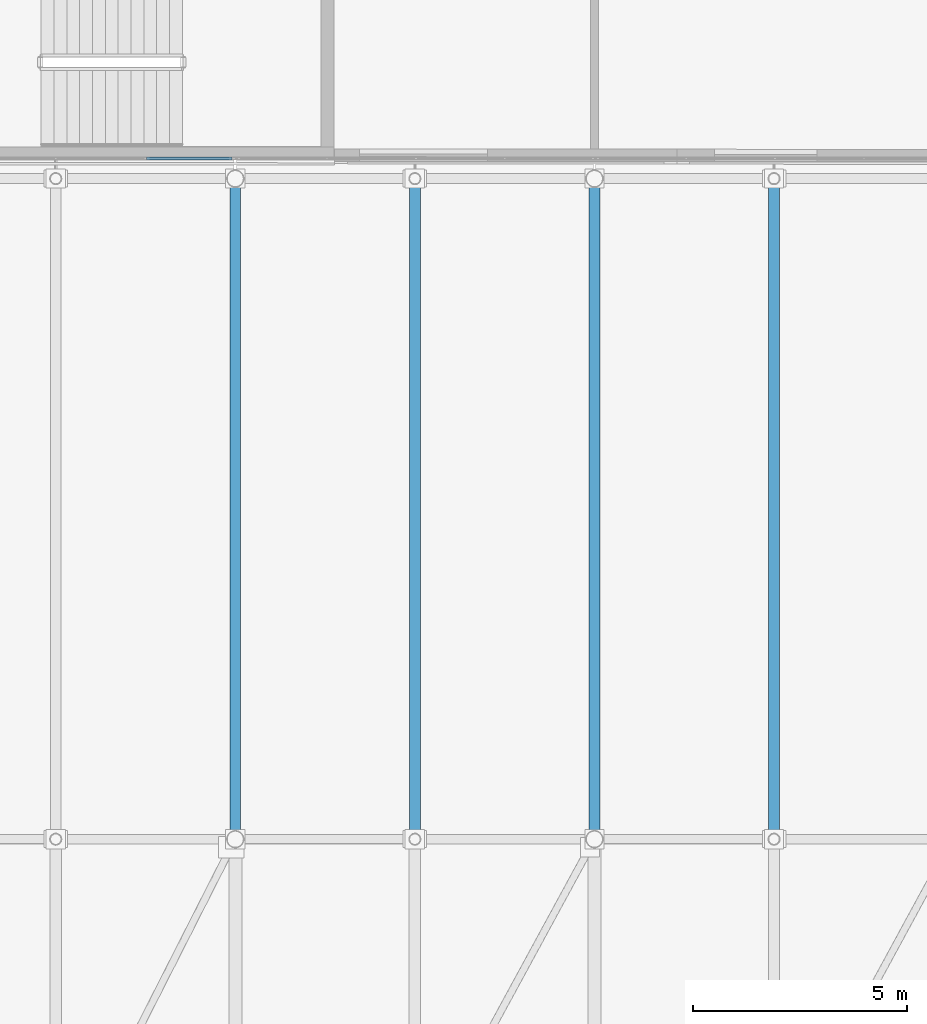
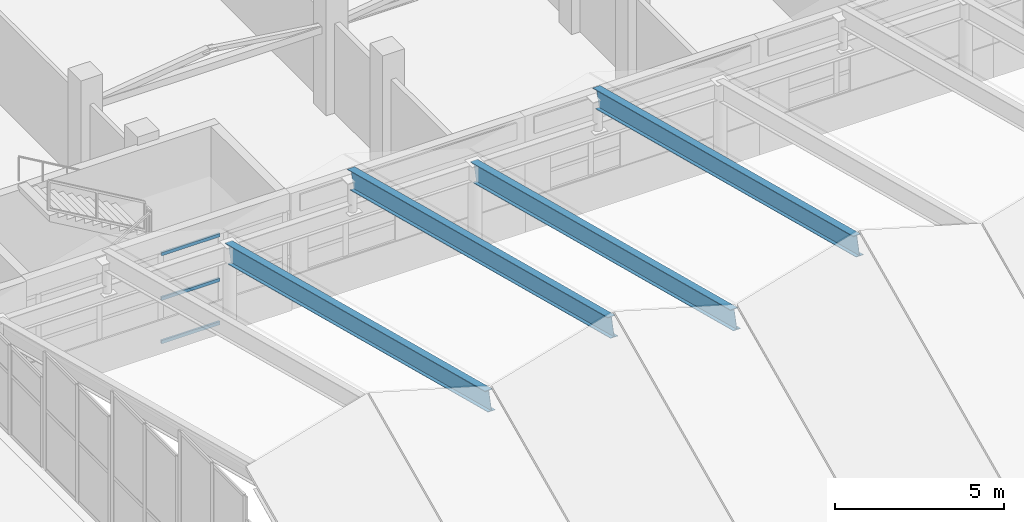
# One storey, part 77 of 184: 4 beams, 3 members, 1 element without a shape of its own.
"""IFC4 building model written with IfcOpenShell, lengths in metres."""

from ifc_helpers import new_model, si_unit, direction, frame, origin, origin_2d, place, context, subcontext, project, spatial, hollow_rectangle, i_section, extrude, material, material_profile, profile_set, type_object, element, aggregate, save


model = new_model("IFC4")

# Units and contexts
model_context = context("Model", 3, precision=1e-05, world=origin(), true_north=direction((0.0, 1.0)))
body_context = subcontext(model_context, "Body", "Model", "MODEL_VIEW")
ifc_project = project(units=[si_unit("LENGTHUNIT", "METRE"), si_unit("AREAUNIT", "SQUARE_METRE"), si_unit("VOLUMEUNIT", "CUBIC_METRE"), si_unit("PLANEANGLEUNIT", "RADIAN"), si_unit("MASSUNIT", "GRAM", prefix="KILO")], contexts=[model_context])

# Site, building, storey
site_placement = place(None, origin())
site = spatial("IfcSite", under=ifc_project, at=site_placement, CompositionType="ELEMENT")
building_placement = place(site_placement, origin())
building = spatial("IfcBuilding", under=site, at=building_placement, Name="Selatvlak General Hospital", CompositionType="ELEMENT")
storey_placement = place(building_placement, frame((0.0, 0.0, 15.0)))
storey = spatial("IfcBuildingStorey", under=building, at=storey_placement, Name="L03", CompositionType="ELEMENT", Elevation=15.0)

# Beams
ifc_material_1 = material(Name="Steel S355", Category="steel")
ifc_material_profile_1 = material_profile(ifc_material_1, i_section(OverallWidth=0.253662109375, OverallDepth=0.68359375, WebThickness=0.012451171875, FlangeThickness=0.01904296875, at=origin_2d()), Name="UB 686x254x140")
ifc_profile_set_1 = profile_set([ifc_material_profile_1], Name="Steel S355")
beam_type = type_object("IfcBeamType", Name="BM-RF3", PredefinedType="BEAM", material=ifc_profile_set_1)
for number, where, z_axis, x_axis, name in (
    (1, (31.199951171875, 68.0, 6.8330078125), (0.0, 0.968081216491, -0.250636705766), (-1.0, 0.0, 0.0), "Folded roof north rafter 3"),
    (2, (35.39990234375, 68.0, 8.032958984375), (0.0, 0.968081216491, -0.250636705766), (-1.0, 0.0, 0.0), "Folded roof north rafter 4"),
    (3, (39.60009765625, 68.0, 6.8330078125), (0.0, 0.968081216491, -0.250636705766), (-1.0, 0.0, 0.0), "Folded roof north rafter 5"),
    (4, (43.800048828125, 68.0, 8.032958984375), (0.0, 0.968081216491, -0.250636705766), (-1.0, 0.0, 0.0), "Folded roof north rafter 6"),
):
    element("IfcBeam", number, at=place(storey_placement, frame(where, z_axis=z_axis, x_axis=x_axis)), inside=storey, type_object=beam_type, Name=name, PredefinedType="BEAM", context=body_context, shape_type="SweptSolid", body=[
        extrude(i_section(OverallWidth=0.253662109375, OverallDepth=0.68359375, WebThickness=0.012451171875, FlangeThickness=0.01904296875, at=origin_2d()), origin(), (0.0, 0.0, 1.0), 15.95947265625),
    ])

# Curtain wall, members
ifc_material_2 = material(Name="Solar-control Low-E double glazing", Category="glass")
curtain_wall_type = type_object("IfcCurtainWallType", Name="CW-CW-04", PredefinedType="USERDEFINED", material=ifc_material_2)
curtain_wall_placement = place(storey_placement, origin())
curtain_wall = element("IfcCurtainWall", 5, at=curtain_wall_placement, inside=storey, type_object=curtain_wall_type, Name="Glazed facade curtain wall CW-L03-0716", ObjectType="STICK GLAZING WALL", PredefinedType="USERDEFINED")
ifc_material_3 = material(Name="Dark anodised aluminium mullion", Category="aluminium")
ifc_material_profile_2 = material_profile(ifc_material_3, hollow_rectangle(XDim=0.06494140625, YDim=0.1201171875, WallThickness=0.00390625, at=origin_2d()), Name="AL-TRN 65x120x4")
ifc_profile_set_2 = profile_set([ifc_material_profile_2], Name="Dark anodised aluminium mullion")
member_type = type_object("IfcMemberType", Name="CWT-01", PredefinedType="USERDEFINED", material=ifc_profile_set_2)
member_1_placement = place(storey_placement, frame((29.125, 83.919921875, 0.032470703125), z_axis=(1.0, 0.0, 0.0), x_axis=(0.0, 1.0, 0.0)))
member_1 = element("IfcMember", 6, at=member_1_placement, type_object=member_type, Name="CW-04 transom 4.1", ObjectType="TRANSOM", PredefinedType="USERDEFINED", context=body_context, shape_type="SweptSolid", body=[
    extrude(hollow_rectangle(XDim=0.06494140625, YDim=0.1201171875, WallThickness=0.00390625, at=origin_2d()), origin(), (0.0, 0.0, 1.0), 1.9951171875),
])
member_2_placement = place(storey_placement, frame((29.125, 83.919921875, 1.60009765625), z_axis=(1.0, 0.0, 0.0), x_axis=(0.0, 1.0, 0.0)))
member_2 = element("IfcMember", 7, at=member_2_placement, type_object=member_type, Name="CW-04 transom 4.2", ObjectType="TRANSOM", PredefinedType="USERDEFINED", context=body_context, shape_type="SweptSolid", body=[
    extrude(hollow_rectangle(XDim=0.06494140625, YDim=0.1201171875, WallThickness=0.00390625, at=origin_2d()), origin(), (0.0, 0.0, 1.0), 1.9951171875),
])
member_3_placement = place(storey_placement, frame((29.125, 83.919921875, 3.217529296875), z_axis=(1.0, 0.0, 0.0), x_axis=(0.0, 1.0, 0.0)))
member_3 = element("IfcMember", 8, at=member_3_placement, type_object=member_type, Name="CW-04 transom 4.3", ObjectType="TRANSOM", PredefinedType="USERDEFINED", context=body_context, shape_type="SweptSolid", body=[
    extrude(hollow_rectangle(XDim=0.06494140625, YDim=0.1201171875, WallThickness=0.00390625, at=origin_2d()), origin(), (0.0, 0.0, 1.0), 1.9951171875),
])
aggregate(curtain_wall, [member_1, member_2, member_3])

save(model, "model.ifc")
